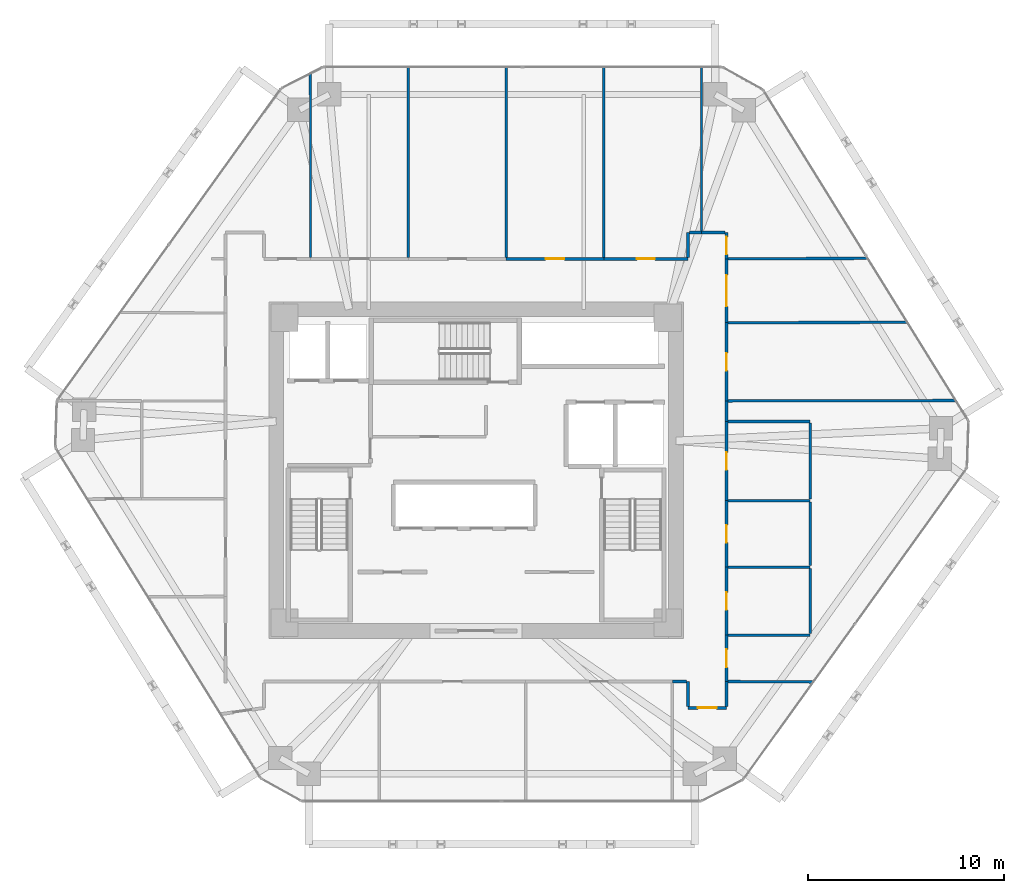
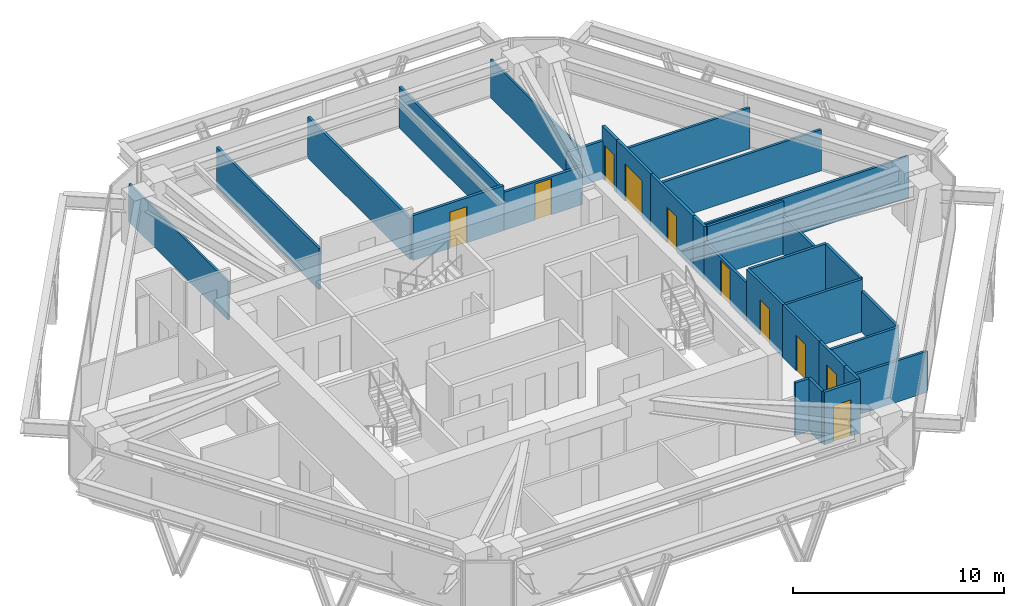
# One storey, part 12 of 14: 33 walls, 10 doors, 10 openings.
"""IFC4 building model written with IfcOpenShell, lengths in metres."""

from ifc_helpers import new_model, si_unit, direction, frame, frame_2d, origin, place, context, subcontext, project, spatial, rectangle, extrude, source, transform, mapped, material, layer, layer_set, type_object, type_shapes, element, fill, save


model = new_model("IFC4")

# Units and contexts
model_context = context("Model", 3, precision=1e-05, world=origin(), true_north=direction((0.0, 1.0)))
body_context = subcontext(model_context, "Body", "Model", "MODEL_VIEW")
ifc_project = project(units=[si_unit("LENGTHUNIT", "METRE"), si_unit("AREAUNIT", "SQUARE_METRE"), si_unit("VOLUMEUNIT", "CUBIC_METRE"), si_unit("PLANEANGLEUNIT", "RADIAN"), si_unit("MASSUNIT", "GRAM", prefix="KILO")], contexts=[model_context])

# Site, building, storey
site_placement = place(None, origin())
site = spatial("IfcSite", under=ifc_project, at=site_placement, CompositionType="ELEMENT")
building_placement = place(site_placement, origin())
building = spatial("IfcBuilding", under=site, at=building_placement, Name="Durnholm Broadcast Tower", CompositionType="ELEMENT")
storey_placement = place(building_placement, frame((0.0, 0.0, 127.199951171875)))
storey = spatial("IfcBuildingStorey", under=building, at=storey_placement, Name="L34", CompositionType="ELEMENT", Elevation=127.199951171875)

# Walls
ifc_material_1 = material(Name="Operable Acoustic Panel Partition", Category="aluminium")
ifc_layer_1 = layer(ifc_material_1, 0.110107421875)
ifc_layer_set_1 = layer_set([ifc_layer_1], Name="Operable Acoustic Panel Partition")
wall_type_1 = type_object("IfcWallType", Name="WALL-MOV-110", PredefinedType="MOVABLE", material=ifc_layer_set_1)
wall_1_placement = place(storey_placement, frame((-8.478271484375, 20.28564453125, 0.0), z_axis=(0.0, 0.0, 1.0), x_axis=(0.001922623691, -0.999998151757, 0.0)))
element("IfcWall", 1, at=wall_1_placement, inside=storey, type_object=wall_type_1, Name="L34 room dividing partition 7.8", PredefinedType="MOVABLE", context=body_context, shape_type="SweptSolid", body=[
    extrude(rectangle(XDim=9.396728515625, YDim=0.110107421875, at=frame_2d((4.6982421875, 0.0))), origin(), (0.0, 0.0, 1.0), 2.212158203125),
])
wall_2_placement = place(storey_placement, frame((11.5400390625, 20.614990234375, 0.0), z_axis=(0.0, 0.0, 1.0), x_axis=(0.0, -1.0, 0.0)))
element("IfcWall", 2, at=wall_2_placement, inside=storey, type_object=wall_type_1, Name="L34 room dividing partition 11.12", PredefinedType="MOVABLE", context=body_context, shape_type="SweptSolid", body=[
    extrude(rectangle(XDim=8.3759765625, YDim=0.110107421875, at=frame_2d((4.18798828125, 0.0))), origin(), (0.0, 0.0, 1.0), 2.212158203125),
])
ifc_material_2 = material(Name="Gypsum Metal Stud Partition", Category="concrete")
ifc_layer_2 = layer(ifc_material_2, 0.135009765625)
ifc_layer_set_2 = layer_set([ifc_layer_2], Name="Gypsum Metal Stud Partition")
wall_type_2 = type_object("IfcWallType", Name="WALL-PART-135", PredefinedType="PARTITIONING", material=ifc_layer_set_2)
for number, where, z_axis, x_axis, name in (
    (3, (-3.4599609375, 20.614990234375, 0.0), (0.0, 0.0, 1.0), (0.0, -1.0, 0.0), "L34 room dividing partition 8.9"),
    (4, (1.5400390625, 20.614990234375, 0.0), (0.0, 0.0, 1.0), (0.0, -1.0, 0.0), "L34 room dividing partition 9.10"),
    (5, (6.5400390625, 20.614990234375, 0.0), (0.0, 0.0, 1.0), (0.0, -1.0, 0.0), "L34 room dividing partition 10.11"),
):
    element("IfcWall", number, at=place(storey_placement, frame(where, z_axis=z_axis, x_axis=x_axis)), inside=storey, type_object=wall_type_2, Name=name, PredefinedType="PARTITIONING", context=body_context, shape_type="SweptSolid", body=[
        extrude(rectangle(XDim=9.72607421875, YDim=0.135009765625, at=frame_2d((4.863037109375, 0.0))), origin(), (0.0, 0.0, 1.0), 2.380126953125),
    ])
wall_3_placement = place(storey_placement, frame((20.03515625, 10.8310546875, 0.0), z_axis=(0.0, 0.0, 1.0), x_axis=(-0.999995783715, -0.002903885812, 0.0)))
element("IfcWall", 6, at=wall_3_placement, inside=storey, type_object=wall_type_2, Name="L34 room dividing partition 12.25", PredefinedType="PARTITIONING", context=body_context, shape_type="SweptSolid", body=[
    extrude(rectangle(XDim=7.146240234375, YDim=0.135009765625, at=frame_2d((3.5732421875, 0.0))), origin(), (0.0, 0.0, 1.0), 2.380126953125),
])
wall_4_placement = place(storey_placement, frame((12.888916015625, -10.810302734375, 0.0), z_axis=(0.0, 0.0, 1.0), x_axis=(0.999986140562, -0.005264853658, 0.0)))
element("IfcWall", 7, at=wall_4_placement, inside=storey, type_object=wall_type_2, Name="L34 room dividing partition 16.23", PredefinedType="PARTITIONING", context=body_context, shape_type="SweptSolid", body=[
    extrude(rectangle(XDim=4.35888671875, YDim=0.135009765625, at=frame_2d((2.179443359375, 0.0))), origin(), (0.0, 0.0, 1.0), 2.380126953125),
])
wall_5_placement = place(storey_placement, frame((12.888916015625, 3.5400390625, 0.0), z_axis=(0.0, 0.0, 1.0), x_axis=(0.999998377575, 0.001801345995, 0.0)))
element("IfcWall", 8, at=wall_5_placement, inside=storey, type_object=wall_type_2, Name="L34 room dividing partition 23.24", PredefinedType="PARTITIONING", context=body_context, shape_type="SweptSolid", body=[
    extrude(rectangle(XDim=11.65576171875, YDim=0.135009765625, at=frame_2d((5.827880859375, 0.0))), origin(), (0.0, 0.0, 1.0), 2.380126953125),
])
wall_6_placement = place(storey_placement, frame((12.888916015625, 7.540283203125, 0.0), z_axis=(0.0, 0.0, 1.0), x_axis=(0.99999744191, 0.002261895808, 0.0)))
element("IfcWall", 9, at=wall_6_placement, inside=storey, type_object=wall_type_2, Name="L34 room dividing partition 24.25", PredefinedType="PARTITIONING", context=body_context, shape_type="SweptSolid", body=[
    extrude(rectangle(XDim=9.174560546875, YDim=0.135009765625, at=frame_2d((4.58740234375, 0.0))), origin(), (0.0, 0.0, 1.0), 2.380126953125),
])

# Wall, opening, door
ifc_material_3 = material(Name="Acoustic Gypsum Stud Partition", Category="concrete")
ifc_layer_3 = layer(ifc_material_3, 0.14990234375)
ifc_layer_set_3 = layer_set([ifc_layer_3], Name="Acoustic Gypsum Stud Partition")
wall_type_3 = type_object("IfcWallType", Name="WALL-PART-150", PredefinedType="PARTITIONING", material=ifc_layer_set_3)
wall_7_placement = place(storey_placement, frame((6.5400390625, 10.81005859375, 0.0), z_axis=(0.0, 0.0, 1.0), x_axis=(-1.0, 0.0, 0.0)))
wall_7 = element("IfcWall", 10, at=wall_7_placement, inside=storey, type_object=wall_type_3, Name="L34 Audio Lounge corridor partition", PredefinedType="PARTITIONING", context=body_context, shape_type="SweptSolid", body=[
    extrude(rectangle(XDim=5.0, YDim=0.14990234375, at=frame_2d((2.5, 0.0))), origin(), (0.0, 0.0, 1.0), 2.6083984375),
])
opening_1_placement = place(wall_7_placement, frame((2.02490234375, 0.0, 0.0)))
opening_1 = element("IfcOpeningElement", 11, at=opening_1_placement, cuts=wall_7, Name="Opening DR-95L", PredefinedType="OPENING", context=body_context, shape_type="SweptSolid", body=[
    extrude(rectangle(XDim=0.949951171875, YDim=2.10009765625, at=frame_2d((0.47509765625, 1.050048828125))), frame((0.0, 0.0849609375, 0.0), z_axis=(0.0, -1.0, 0.0), x_axis=(1.0, 0.0, 0.0)), (0.0, 0.0, 1.0), 0.169921875),
])
ifc_material_4 = material(Name="Acoustic Oak Veneer Timber Door", Category="wood")
ifc_layer_4 = layer(ifc_material_4, 0.050048828125)
ifc_layer_set_4 = layer_set([ifc_layer_4], Name="Acoustic Oak Veneer Timber Door")
door_type_1 = type_object("IfcDoorType", Name="DOOR-RM-950L", OperationType="NOTDEFINED", PredefinedType="DOOR", material=ifc_layer_set_4)
shared_shape_1 = source(origin(), body_context, "Body", "SweptSolid", [
    extrude(rectangle(XDim=0.949951171875, YDim=2.10009765625, at=frame_2d((0.47509765625, 1.050048828125))), frame((0.0, 0.02490234375, 0.0), z_axis=(0.0, -1.0, 0.0), x_axis=(1.0, 0.0, 0.0)), (0.0, 0.0, 1.0), 0.050048828125),
])
type_shapes(door_type_1, [shared_shape_1])
door_1_placement = place(opening_1_placement, origin())
door_1 = element("IfcDoor", 12, at=door_1_placement, inside=storey, type_object=door_type_1, Name="L34 Audio Lounge entrance door", OperationType="SINGLE_SWING_LEFT", OverallHeight=2.10009765625, OverallWidth=0.949951171875, PredefinedType="DOOR", context=body_context, shape_type="MappedRepresentation", body=[
    mapped(shared_shape_1, transform((0.0, 0.0, 0.0), x_axis=(1.0, 0.0, 0.0), y_axis=(0.0, 1.0, 0.0), z_axis=(0.0, 0.0, 1.0), scale=1.0)),
])
fill(opening_1, door_1)

wall_8_placement = place(storey_placement, frame((10.840087890625, 10.81005859375, 0.0), z_axis=(0.0, 0.0, 1.0), x_axis=(-1.0, 0.0, 0.0)))
wall_8 = element("IfcWall", 13, at=wall_8_placement, inside=storey, type_object=wall_type_3, Name="L34 Acoustic Meeting Room 1 corridor partition", PredefinedType="PARTITIONING", context=body_context, shape_type="SweptSolid", body=[
    extrude(rectangle(XDim=4.300048828125, YDim=0.14990234375, at=frame_2d((2.14990234375, 0.0))), origin(), (0.0, 0.0, 1.0), 2.212158203125),
])
opening_2_placement = place(wall_8_placement, frame((1.68994140625, 0.0, 0.0)))
opening_2 = element("IfcOpeningElement", 14, at=opening_2_placement, cuts=wall_8, Name="Opening DR-92R", PredefinedType="OPENING", context=body_context, shape_type="SweptSolid", body=[
    extrude(rectangle(XDim=0.919921875, YDim=2.10009765625, at=frame_2d((0.4599609375, 1.050048828125))), frame((0.0, 0.0849609375, 0.0), z_axis=(0.0, -1.0, 0.0), x_axis=(1.0, 0.0, 0.0)), (0.0, 0.0, 1.0), 0.169921875),
])
ifc_material_5 = material(Name="Oak Veneer Office Door", Category="wood")
ifc_layer_5 = layer(ifc_material_5, 0.050048828125)
ifc_layer_set_5 = layer_set([ifc_layer_5], Name="Oak Veneer Office Door")
door_type_2 = type_object("IfcDoorType", Name="DOOR-RM-920R", OperationType="NOTDEFINED", PredefinedType="DOOR", material=ifc_layer_set_5)
shared_shape_2 = source(origin(), body_context, "Body", "SweptSolid", [
    extrude(rectangle(XDim=0.919921875, YDim=2.10009765625, at=frame_2d((0.4599609375, 1.050048828125))), frame((0.0, 0.02490234375, 0.0), z_axis=(0.0, -1.0, 0.0), x_axis=(1.0, 0.0, 0.0)), (0.0, 0.0, 1.0), 0.050048828125),
])
type_shapes(door_type_2, [shared_shape_2])
door_2_placement = place(opening_2_placement, origin())
door_2 = element("IfcDoor", 15, at=door_2_placement, inside=storey, type_object=door_type_2, Name="L34 Acoustic Meeting Room 1 entrance door", OperationType="SINGLE_SWING_RIGHT", OverallHeight=2.10009765625, OverallWidth=0.919921875, PredefinedType="DOOR", context=body_context, shape_type="MappedRepresentation", body=[
    mapped(shared_shape_2, transform((0.0, 0.0, 0.0), x_axis=(1.0, 0.0, 0.0), y_axis=(0.0, 1.0, 0.0), z_axis=(0.0, 0.0, 1.0), scale=1.0)),
])
fill(opening_2, door_2)

# Walls
wall_9_placement = place(storey_placement, frame((10.840087890625, 12.159912109375, 0.0), z_axis=(0.0, 0.0, 1.0), x_axis=(0.0, -1.0, 0.0)))
element("IfcWall", 16, at=wall_9_placement, inside=storey, type_object=wall_type_3, Name="L34 Acoustic Meeting Room 1 corridor partition", PredefinedType="PARTITIONING", context=body_context, shape_type="SweptSolid", body=[
    extrude(rectangle(XDim=1.27099609375, YDim=0.14990234375, at=frame_2d((0.635498046875, 0.0))), origin(), (0.0, 0.0, 1.0), 2.212158203125),
])
wall_10_placement = place(storey_placement, frame((11.5400390625, 12.159912109375, 0.0), z_axis=(0.0, 0.0, 1.0), x_axis=(-1.0, 0.0, 0.0)))
element("IfcWall", 17, at=wall_10_placement, inside=storey, type_object=wall_type_3, Name="L34 Acoustic Meeting Room 1 corridor partition", PredefinedType="PARTITIONING", context=body_context, shape_type="SweptSolid", body=[
    extrude(rectangle(XDim=0.62109375, YDim=0.14990234375, at=frame_2d((0.310546875, 0.0))), origin(), (0.0, 0.0, 1.0), 2.212158203125),
])

# Wall, opening, door
wall_11_placement = place(storey_placement, frame((12.81005859375, 10.81005859375, 0.0), z_axis=(0.0, 0.0, 1.0), x_axis=(0.0, 1.0, 0.0)))
wall_11 = element("IfcWall", 18, at=wall_11_placement, inside=storey, type_object=wall_type_3, Name="L34 Open Plan Broadcast Workspace 1 corridor partition", PredefinedType="PARTITIONING", context=body_context, shape_type="SweptSolid", body=[
    extrude(rectangle(XDim=1.349853515625, YDim=0.14990234375, at=frame_2d((0.6748046875, 0.0))), origin(), (0.0, 0.0, 1.0), 3.045166015625),
])
opening_3_placement = place(wall_11_placement, frame((0.22509765625, 0.0, 0.0)))
opening_3 = element("IfcOpeningElement", 19, at=opening_3_placement, cuts=wall_11, Name="Opening DW-90L", PredefinedType="OPENING", context=body_context, shape_type="SweptSolid", body=[
    extrude(rectangle(XDim=0.89990234375, YDim=2.050048828125, at=frame_2d((0.449951171875, 1.02490234375))), frame((0.0, 0.0849609375, 0.0), z_axis=(0.0, -1.0, 0.0), x_axis=(1.0, 0.0, 0.0)), (0.0, 0.0, 1.0), 0.169921875),
])
ifc_material_6 = material(Name="Laminate Restroom Door", Category="steel")
ifc_layer_6 = layer(ifc_material_6, 0.050048828125)
ifc_layer_set_6 = layer_set([ifc_layer_6], Name="Laminate Restroom Door")
door_type_3 = type_object("IfcDoorType", Name="DOOR-WC-900L", OperationType="NOTDEFINED", PredefinedType="DOOR", material=ifc_layer_set_6)
shared_shape_3 = source(origin(), body_context, "Body", "SweptSolid", [
    extrude(rectangle(XDim=0.89990234375, YDim=2.050048828125, at=frame_2d((0.449951171875, 1.02490234375))), frame((0.0, 0.02490234375, 0.0), z_axis=(0.0, -1.0, 0.0), x_axis=(1.0, 0.0, 0.0)), (0.0, 0.0, 1.0), 0.050048828125),
])
type_shapes(door_type_3, [shared_shape_3])
door_3_placement = place(opening_3_placement, origin())
door_3 = element("IfcDoor", 20, at=door_3_placement, inside=storey, type_object=door_type_3, Name="L34 Open Plan Broadcast Workspace 1 entrance door", OperationType="SINGLE_SWING_LEFT", OverallHeight=2.050048828125, OverallWidth=0.89990234375, PredefinedType="DOOR", context=body_context, shape_type="MappedRepresentation", body=[
    mapped(shared_shape_3, transform((0.0, 0.0, 0.0), x_axis=(1.0, 0.0, 0.0), y_axis=(0.0, 1.0, 0.0), z_axis=(0.0, 0.0, 1.0), scale=1.0)),
])
fill(opening_3, door_3)

# Wall
wall_12_placement = place(storey_placement, frame((12.73095703125, 12.159912109375, 0.0), z_axis=(0.0, 0.0, 1.0), x_axis=(-1.0, 0.0, 0.0)))
element("IfcWall", 21, at=wall_12_placement, inside=storey, type_object=wall_type_3, Name="L34 Open Plan Broadcast Workspace 1 corridor partition", PredefinedType="PARTITIONING", context=body_context, shape_type="SweptSolid", body=[
    extrude(rectangle(XDim=1.19091796875, YDim=0.14990234375, at=frame_2d((0.595458984375, 0.0))), origin(), (0.0, 0.0, 1.0), 2.212158203125),
])

# Wall, opening, door
wall_13_placement = place(storey_placement, frame((10.840087890625, -12.159912109375, 0.0), z_axis=(0.0, 0.0, 1.0), x_axis=(1.0, 0.0, 0.0)))
wall_13 = element("IfcWall", 22, at=wall_13_placement, inside=storey, type_object=wall_type_3, Name="L34 Open Plan Broadcast Workspace 5 corridor partition", PredefinedType="PARTITIONING", context=body_context, shape_type="SweptSolid", body=[
    extrude(rectangle(XDim=1.969970703125, YDim=0.14990234375, at=frame_2d((0.98486328125, 0.0))), origin(), (0.0, 0.0, 1.0), 3.045166015625),
])
opening_4_placement = place(wall_13_placement, frame((0.510009765625, 0.0, 0.0)))
opening_4 = element("IfcOpeningElement", 23, at=opening_4_placement, cuts=wall_13, Name="Opening DR-95L", PredefinedType="OPENING", context=body_context, shape_type="SweptSolid", body=[
    extrude(rectangle(XDim=0.949951171875, YDim=2.10009765625, at=frame_2d((0.47509765625, 1.050048828125))), frame((0.0, 0.0849609375, 0.0), z_axis=(0.0, -1.0, 0.0), x_axis=(1.0, 0.0, 0.0)), (0.0, 0.0, 1.0), 0.169921875),
])
door_4_placement = place(opening_4_placement, origin())
door_4 = element("IfcDoor", 24, at=door_4_placement, inside=storey, type_object=door_type_1, Name="L34 Open Plan Broadcast Workspace 5 entrance door", OperationType="SINGLE_SWING_LEFT", OverallHeight=2.10009765625, OverallWidth=0.949951171875, PredefinedType="DOOR", context=body_context, shape_type="MappedRepresentation", body=[
    mapped(shared_shape_1, transform((0.0, 0.0, 0.0), x_axis=(1.0, 0.0, 0.0), y_axis=(0.0, 1.0, 0.0), z_axis=(0.0, 0.0, 1.0), scale=1.0)),
])
fill(opening_4, door_4)

# Walls
for number, where, z_axis, x_axis, name in (
    (25, (10.840087890625, -10.81005859375, 0.0), (0.0, 0.0, 1.0), (0.0, -1.0, 0.0), "L34 Open Plan Broadcast Workspace 5 corridor partition"),
    (26, (12.81005859375, -12.0810546875, 0.0), (0.0, 0.0, 1.0), (0.0, 1.0, 0.0), "L34 Open Plan Broadcast Workspace 5 corridor partition"),
):
    element("IfcWall", number, at=place(storey_placement, frame(where, z_axis=z_axis, x_axis=x_axis)), inside=storey, type_object=wall_type_3, Name=name, PredefinedType="PARTITIONING", context=body_context, shape_type="SweptSolid", body=[
        extrude(rectangle(XDim=1.27099609375, YDim=0.14990234375, at=frame_2d((0.635498046875, 0.0))), origin(), (0.0, 0.0, 1.0), 3.045166015625),
    ])
wall_14_placement = place(storey_placement, frame((10.0400390625, -10.81005859375, 0.0), z_axis=(0.0, 0.0, 1.0), x_axis=(1.0, 0.0, 0.0)))
element("IfcWall", 27, at=wall_14_placement, inside=storey, type_object=wall_type_3, Name="L34 Open Plan Broadcast Workspace 5 corridor partition", PredefinedType="PARTITIONING", context=body_context, shape_type="SweptSolid", body=[
    extrude(rectangle(XDim=0.720947265625, YDim=0.14990234375, at=frame_2d((0.3603515625, 0.0))), origin(), (0.0, 0.0, 1.0), 3.045166015625),
])

# Wall, opening, door
wall_15_placement = place(storey_placement, frame((12.81005859375, -10.81005859375, 0.0), z_axis=(0.0, 0.0, 1.0), x_axis=(0.0, 1.0, 0.0)))
wall_15 = element("IfcWall", 28, at=wall_15_placement, inside=storey, type_object=wall_type_3, Name="L34 Open Plan Broadcast Workspace 6 corridor partition", PredefinedType="PARTITIONING", context=body_context, shape_type="SweptSolid", body=[
    extrude(rectangle(XDim=2.3701171875, YDim=0.14990234375, at=frame_2d((1.18505859375, 0.0))), origin(), (0.0, 0.0, 1.0), 3.045166015625),
])
opening_5_placement = place(wall_15_placement, frame((0.72509765625, 0.0, 0.0)))
opening_5 = element("IfcOpeningElement", 29, at=opening_5_placement, cuts=wall_15, Name="Opening DR-92L", PredefinedType="OPENING", context=body_context, shape_type="SweptSolid", body=[
    extrude(rectangle(XDim=0.919921875, YDim=2.10009765625, at=frame_2d((0.4599609375, 1.050048828125))), frame((0.0, 0.0849609375, 0.0), z_axis=(0.0, -1.0, 0.0), x_axis=(1.0, 0.0, 0.0)), (0.0, 0.0, 1.0), 0.169921875),
])
ifc_layer_7 = layer(ifc_material_5, 0.050048828125)
ifc_layer_set_7 = layer_set([ifc_layer_7], Name="Oak Veneer Office Door")
door_type_4 = type_object("IfcDoorType", Name="DOOR-RM-920L", OperationType="NOTDEFINED", PredefinedType="DOOR", material=ifc_layer_set_7)
shared_shape_4 = source(origin(), body_context, "Body", "SweptSolid", [
    extrude(rectangle(XDim=0.919921875, YDim=2.10009765625, at=frame_2d((0.4599609375, 1.050048828125))), frame((0.0, 0.02490234375, 0.0), z_axis=(0.0, -1.0, 0.0), x_axis=(1.0, 0.0, 0.0)), (0.0, 0.0, 1.0), 0.050048828125),
])
type_shapes(door_type_4, [shared_shape_4])
door_5_placement = place(opening_5_placement, origin())
door_5 = element("IfcDoor", 30, at=door_5_placement, inside=storey, type_object=door_type_4, Name="L34 Open Plan Broadcast Workspace 6 entrance door", OperationType="SINGLE_SWING_LEFT", OverallHeight=2.10009765625, OverallWidth=0.919921875, PredefinedType="DOOR", context=body_context, shape_type="MappedRepresentation", body=[
    mapped(shared_shape_4, transform((0.0, 0.0, 0.0), x_axis=(1.0, 0.0, 0.0), y_axis=(0.0, 1.0, 0.0), z_axis=(0.0, 0.0, 1.0), scale=1.0)),
])
fill(opening_5, door_5)

# Wall
wall_16_placement = place(storey_placement, frame((12.81005859375, 2.489990234375, 0.0), z_axis=(0.0, 0.0, 1.0), x_axis=(0.0, 1.0, 0.0)))
element("IfcWall", 31, at=wall_16_placement, inside=storey, type_object=wall_type_3, Name="L34 Open Plan Broadcast Workspace 6 corridor partition", PredefinedType="PARTITIONING", context=body_context, shape_type="SweptSolid", body=[
    extrude(rectangle(XDim=1.050048828125, YDim=0.14990234375, at=frame_2d((0.52490234375, 0.0))), origin(), (0.0, 0.0, 1.0), 3.045166015625),
])

# Wall, opening, door
wall_17_placement = place(storey_placement, frame((12.81005859375, 3.5400390625, 0.0), z_axis=(0.0, 0.0, 1.0), x_axis=(0.0, 1.0, 0.0)))
wall_17 = element("IfcWall", 32, at=wall_17_placement, inside=storey, type_object=wall_type_3, Name="L34 Music Library Store corridor partition", PredefinedType="PARTITIONING", context=body_context, shape_type="SweptSolid", body=[
    extrude(rectangle(XDim=4.0, YDim=0.14990234375, at=frame_2d((2.0, 0.0))), origin(), (0.0, 0.0, 1.0), 3.045166015625),
])
opening_6_placement = place(wall_17_placement, frame((1.550048828125, 0.0, 0.0)))
opening_6 = element("IfcOpeningElement", 33, at=opening_6_placement, cuts=wall_17, Name="Opening DC-60R", PredefinedType="OPENING", context=body_context, shape_type="SweptSolid", body=[
    extrude(rectangle(XDim=0.89990234375, YDim=2.050048828125, at=frame_2d((0.449951171875, 1.02490234375))), frame((0.0, 0.0849609375, 0.0), z_axis=(0.0, -1.0, 0.0), x_axis=(1.0, 0.0, 0.0)), (0.0, 0.0, 1.0), 0.169921875),
])
ifc_material_7 = material(Name="Fire-Rated Core Service Door", Category="steel")
ifc_layer_8 = layer(ifc_material_7, 0.050048828125)
ifc_layer_set_8 = layer_set([ifc_layer_8], Name="Fire-Rated Core Service Door")
door_type_5 = type_object("IfcDoorType", Name="DOOR-CORE-FD60-R", OperationType="NOTDEFINED", PredefinedType="DOOR", material=ifc_layer_set_8)
shared_shape_5 = source(origin(), body_context, "Body", "SweptSolid", [
    extrude(rectangle(XDim=0.89990234375, YDim=2.050048828125, at=frame_2d((0.449951171875, 1.02490234375))), frame((0.0, 0.02490234375, 0.0), z_axis=(0.0, -1.0, 0.0), x_axis=(1.0, 0.0, 0.0)), (0.0, 0.0, 1.0), 0.050048828125),
])
type_shapes(door_type_5, [shared_shape_5])
door_6_placement = place(opening_6_placement, origin())
door_6 = element("IfcDoor", 34, at=door_6_placement, inside=storey, type_object=door_type_5, Name="L34 Music Library Store entrance door", OperationType="SINGLE_SWING_RIGHT", OverallHeight=2.050048828125, OverallWidth=0.89990234375, PredefinedType="DOOR", context=body_context, shape_type="MappedRepresentation", body=[
    mapped(shared_shape_5, transform((0.0, 0.0, 0.0), x_axis=(1.0, 0.0, 0.0), y_axis=(0.0, 1.0, 0.0), z_axis=(0.0, 0.0, 1.0), scale=1.0)),
])
fill(opening_6, door_6)

wall_18_placement = place(storey_placement, frame((12.81005859375, 7.5400390625, 0.0), z_axis=(0.0, 0.0, 1.0), x_axis=(0.0, 1.0, 0.0)))
wall_18 = element("IfcWall", 35, at=wall_18_placement, inside=storey, type_object=wall_type_3, Name="L34 Radio Broadcast Hall corridor partition", PredefinedType="PARTITIONING", context=body_context, shape_type="SweptSolid", body=[
    extrude(rectangle(XDim=3.27001953125, YDim=0.14990234375, at=frame_2d((1.635009765625, 0.0))), origin(), (0.0, 0.0, 1.0), 3.045166015625),
])
opening_7_placement = place(wall_18_placement, frame((0.8349609375, 0.0, 0.0)))
opening_7 = element("IfcOpeningElement", 36, at=opening_7_placement, cuts=wall_18, Name="Opening DST-160", PredefinedType="OPENING", context=body_context, shape_type="SweptSolid", body=[
    extrude(rectangle(XDim=1.60009765625, YDim=2.14990234375, at=frame_2d((0.800048828125, 1.074951171875))), frame((0.0, 0.0849609375, 0.0), z_axis=(0.0, -1.0, 0.0), x_axis=(1.0, 0.0, 0.0)), (0.0, 0.0, 1.0), 0.169921875),
])
ifc_material_8 = material(Name="Acoustic Broadcast Studio Sound-Lock Door", Category="steel")
ifc_layer_9 = layer(ifc_material_8, 0.050048828125)
ifc_layer_set_9 = layer_set([ifc_layer_9], Name="Acoustic Broadcast Studio Sound-Lock Door")
door_type_6 = type_object("IfcDoorType", Name="DOOR-STU-1600", OperationType="DOUBLE_DOOR_SINGLE_SWING", PredefinedType="DOOR", material=ifc_layer_set_9)
shared_shape_6 = source(origin(), body_context, "Body", "SweptSolid", [
    extrude(rectangle(XDim=1.60009765625, YDim=2.14990234375, at=frame_2d((0.800048828125, 1.074951171875))), frame((0.0, 0.02490234375, 0.0), z_axis=(0.0, -1.0, 0.0), x_axis=(1.0, 0.0, 0.0)), (0.0, 0.0, 1.0), 0.050048828125),
])
type_shapes(door_type_6, [shared_shape_6])
door_7_placement = place(opening_7_placement, origin())
door_7 = element("IfcDoor", 37, at=door_7_placement, inside=storey, type_object=door_type_6, Name="L34 Radio Broadcast Hall entrance door", OperationType="DOUBLE_DOOR_SINGLE_SWING", OverallHeight=2.14990234375, OverallWidth=1.60009765625, PredefinedType="DOOR", context=body_context, shape_type="MappedRepresentation", body=[
    mapped(shared_shape_6, transform((0.0, 0.0, 0.0), x_axis=(1.0, 0.0, 0.0), y_axis=(0.0, 1.0, 0.0), z_axis=(0.0, 0.0, 1.0), scale=1.0)),
])
fill(opening_7, door_7)

ifc_material_9 = material(Name="Moisture-Resistant Tile Partition", Category="concrete")
ifc_layer_10 = layer(ifc_material_9, 0.139892578125)
ifc_layer_set_10 = layer_set([ifc_layer_10], Name="Moisture-Resistant Tile Partition")
wall_type_4 = type_object("IfcWallType", Name="WALL-WC-140", PredefinedType="PARTITIONING", material=ifc_layer_set_10)
wall_19_placement = place(storey_placement, frame((12.81005859375, -8.43994140625, 0.0), z_axis=(0.0, 0.0, 1.0), x_axis=(0.0, 1.0, 0.0)))
wall_19 = element("IfcWall", 38, at=wall_19_placement, inside=storey, type_object=wall_type_4, Name="L34 Men's Restroom corridor partition", PredefinedType="PARTITIONING", context=body_context, shape_type="SweptSolid", body=[
    extrude(rectangle(XDim=3.47998046875, YDim=0.139892578125, at=frame_2d((1.739990234375, 0.0))), origin(), (0.0, 0.0, 1.0), 3.045166015625),
])
opening_8_placement = place(wall_19_placement, frame((1.2900390625, 0.0, 0.0)))
opening_8 = element("IfcOpeningElement", 39, at=opening_8_placement, cuts=wall_19, Name="Opening DW-90L", PredefinedType="OPENING", context=body_context, shape_type="SweptSolid", body=[
    extrude(rectangle(XDim=0.89990234375, YDim=2.050048828125, at=frame_2d((0.449951171875, 1.02490234375))), frame((0.0, 0.080078125, 0.0), z_axis=(0.0, -1.0, 0.0), x_axis=(1.0, 0.0, 0.0)), (0.0, 0.0, 1.0), 0.159912109375),
])
door_8_placement = place(opening_8_placement, origin())
door_8 = element("IfcDoor", 40, at=door_8_placement, inside=storey, type_object=door_type_3, Name="L34 Men's Restroom entrance door", OperationType="SINGLE_SWING_LEFT", OverallHeight=2.050048828125, OverallWidth=0.89990234375, PredefinedType="DOOR", context=body_context, shape_type="MappedRepresentation", body=[
    mapped(shared_shape_3, transform((0.0, 0.0, 0.0), x_axis=(1.0, 0.0, 0.0), y_axis=(0.0, 1.0, 0.0), z_axis=(0.0, 0.0, 1.0), scale=1.0)),
])
fill(opening_8, door_8)

wall_20_placement = place(storey_placement, frame((12.81005859375, -4.9599609375, 0.0), z_axis=(0.0, 0.0, 1.0), x_axis=(0.0, 1.0, 0.0)))
wall_20 = element("IfcWall", 41, at=wall_20_placement, inside=storey, type_object=wall_type_4, Name="L34 Women's Restroom corridor partition", PredefinedType="PARTITIONING", context=body_context, shape_type="SweptSolid", body=[
    extrude(rectangle(XDim=3.39990234375, YDim=0.139892578125, at=frame_2d((1.699951171875, 0.0))), origin(), (0.0, 0.0, 1.0), 3.045166015625),
])
opening_9_placement = place(wall_20_placement, frame((1.25, 0.0, 0.0)))
opening_9 = element("IfcOpeningElement", 42, at=opening_9_placement, cuts=wall_20, Name="Opening DW-90R", PredefinedType="OPENING", context=body_context, shape_type="SweptSolid", body=[
    extrude(rectangle(XDim=0.89990234375, YDim=2.050048828125, at=frame_2d((0.449951171875, 1.02490234375))), frame((0.0, 0.080078125, 0.0), z_axis=(0.0, -1.0, 0.0), x_axis=(1.0, 0.0, 0.0)), (0.0, 0.0, 1.0), 0.159912109375),
])
ifc_layer_11 = layer(ifc_material_6, 0.050048828125)
ifc_layer_set_11 = layer_set([ifc_layer_11], Name="Laminate Restroom Door")
door_type_7 = type_object("IfcDoorType", Name="DOOR-WC-900R", OperationType="NOTDEFINED", PredefinedType="DOOR", material=ifc_layer_set_11)
shared_shape_7 = source(origin(), body_context, "Body", "SweptSolid", [
    extrude(rectangle(XDim=0.89990234375, YDim=2.050048828125, at=frame_2d((0.449951171875, 1.02490234375))), frame((0.0, 0.02490234375, 0.0), z_axis=(0.0, -1.0, 0.0), x_axis=(1.0, 0.0, 0.0)), (0.0, 0.0, 1.0), 0.050048828125),
])
type_shapes(door_type_7, [shared_shape_7])
door_9_placement = place(opening_9_placement, origin())
door_9 = element("IfcDoor", 43, at=door_9_placement, inside=storey, type_object=door_type_7, Name="L34 Women's Restroom entrance door", OperationType="SINGLE_SWING_RIGHT", OverallHeight=2.050048828125, OverallWidth=0.89990234375, PredefinedType="DOOR", context=body_context, shape_type="MappedRepresentation", body=[
    mapped(shared_shape_7, transform((0.0, 0.0, 0.0), x_axis=(1.0, 0.0, 0.0), y_axis=(0.0, 1.0, 0.0), z_axis=(0.0, 0.0, 1.0), scale=1.0)),
])
fill(opening_9, door_9)

wall_21_placement = place(storey_placement, frame((12.81005859375, -1.56005859375, 0.0), z_axis=(0.0, 0.0, 1.0), x_axis=(0.0, 1.0, 0.0)))
wall_21 = element("IfcWall", 44, at=wall_21_placement, inside=storey, type_object=wall_type_4, Name="L34 Accessible Restroom corridor partition", PredefinedType="PARTITIONING", context=body_context, shape_type="SweptSolid", body=[
    extrude(rectangle(XDim=4.050048828125, YDim=0.139892578125, at=frame_2d((2.02490234375, 0.0))), origin(), (0.0, 0.0, 1.0), 2.212158203125),
])
opening_10_placement = place(wall_21_placement, frame((1.574951171875, 0.0, 0.0)))
opening_10 = element("IfcOpeningElement", 45, at=opening_10_placement, cuts=wall_21, Name="Opening DW-90L", PredefinedType="OPENING", context=body_context, shape_type="SweptSolid", body=[
    extrude(rectangle(XDim=0.89990234375, YDim=2.050048828125, at=frame_2d((0.449951171875, 1.02490234375))), frame((0.0, 0.080078125, 0.0), z_axis=(0.0, -1.0, 0.0), x_axis=(1.0, 0.0, 0.0)), (0.0, 0.0, 1.0), 0.159912109375),
])
door_10_placement = place(opening_10_placement, origin())
door_10 = element("IfcDoor", 46, at=door_10_placement, inside=storey, type_object=door_type_3, Name="L34 Accessible Restroom entrance door", OperationType="SINGLE_SWING_LEFT", OverallHeight=2.050048828125, OverallWidth=0.89990234375, PredefinedType="DOOR", context=body_context, shape_type="MappedRepresentation", body=[
    mapped(shared_shape_3, transform((0.0, 0.0, 0.0), x_axis=(1.0, 0.0, 0.0), y_axis=(0.0, 1.0, 0.0), z_axis=(0.0, 0.0, 1.0), scale=1.0)),
])
fill(opening_10, door_10)

# Walls
wall_22_placement = place(storey_placement, frame((12.884033203125, -4.9599609375, 0.0), z_axis=(0.0, 0.0, 1.0), x_axis=(1.0, 0.0, 0.0)))
element("IfcWall", 47, at=wall_22_placement, inside=storey, type_object=wall_type_4, Name="L34 room dividing partition 4.5", PredefinedType="PARTITIONING", context=body_context, shape_type="SweptSolid", body=[
    extrude(rectangle(XDim=4.2060546875, YDim=0.139892578125, at=frame_2d((2.10302734375, 0.0))), origin(), (0.0, 0.0, 1.0), 3.045166015625),
])
wall_23_placement = place(storey_placement, frame((17.090087890625, -8.43994140625, 0.0), z_axis=(0.0, 0.0, 1.0), x_axis=(-1.0, 0.0, 0.0)))
element("IfcWall", 48, at=wall_23_placement, inside=storey, type_object=wall_type_4, Name="L34 room dividing partition 4.23", PredefinedType="PARTITIONING", context=body_context, shape_type="SweptSolid", body=[
    extrude(rectangle(XDim=4.201171875, YDim=0.139892578125, at=frame_2d((2.1005859375, 0.0))), origin(), (0.0, 0.0, 1.0), 2.380126953125),
])
wall_24_placement = place(storey_placement, frame((17.090087890625, -5.033935546875, 0.0), z_axis=(0.0, 0.0, 1.0), x_axis=(0.0, -1.0, 0.0)))
element("IfcWall", 49, at=wall_24_placement, inside=storey, type_object=wall_type_4, Name="L34 room dividing partition 4.23", PredefinedType="PARTITIONING", context=body_context, shape_type="SweptSolid", body=[
    extrude(rectangle(XDim=3.33203125, YDim=0.139892578125, at=frame_2d((1.666015625, 0.0))), origin(), (0.0, 0.0, 1.0), 2.380126953125),
])
wall_25_placement = place(storey_placement, frame((12.884033203125, -1.56005859375, 0.0), z_axis=(0.0, 0.0, 1.0), x_axis=(1.0, 0.0, 0.0)))
element("IfcWall", 50, at=wall_25_placement, inside=storey, type_object=wall_type_4, Name="L34 room dividing partition 5.6", PredefinedType="PARTITIONING", context=body_context, shape_type="SweptSolid", body=[
    extrude(rectangle(XDim=4.2060546875, YDim=0.139892578125, at=frame_2d((2.10302734375, 0.0))), origin(), (0.0, 0.0, 1.0), 3.045166015625),
])
wall_26_placement = place(storey_placement, frame((17.090087890625, -1.634033203125, 0.0), z_axis=(0.0, 0.0, 1.0), x_axis=(0.0, -1.0, 0.0)))
element("IfcWall", 51, at=wall_26_placement, inside=storey, type_object=wall_type_4, Name="L34 room dividing partition 5.23", PredefinedType="PARTITIONING", context=body_context, shape_type="SweptSolid", body=[
    extrude(rectangle(XDim=3.251953125, YDim=0.139892578125, at=frame_2d((1.6259765625, 0.0))), origin(), (0.0, 0.0, 1.0), 3.045166015625),
])
wall_27_placement = place(storey_placement, frame((12.888916015625, 2.489990234375, 0.0), z_axis=(0.0, 0.0, 1.0), x_axis=(1.0, 0.0, 0.0)))
element("IfcWall", 52, at=wall_27_placement, inside=storey, type_object=wall_type_4, Name="L34 room dividing partition 6.23", PredefinedType="PARTITIONING", context=body_context, shape_type="SweptSolid", body=[
    extrude(rectangle(XDim=4.201171875, YDim=0.139892578125, at=frame_2d((2.1005859375, 0.0))), origin(), (0.0, 0.0, 1.0), 3.045166015625),
])
wall_28_placement = place(storey_placement, frame((17.090087890625, 2.416015625, 0.0), z_axis=(0.0, 0.0, 1.0), x_axis=(0.0, -1.0, 0.0)))
element("IfcWall", 53, at=wall_28_placement, inside=storey, type_object=wall_type_4, Name="L34 room dividing partition 6.23", PredefinedType="PARTITIONING", context=body_context, shape_type="SweptSolid", body=[
    extrude(rectangle(XDim=3.902099609375, YDim=0.139892578125, at=frame_2d((1.951171875, 0.0))), origin(), (0.0, 0.0, 1.0), 2.212158203125),
])

save(model, "model.ifc")
